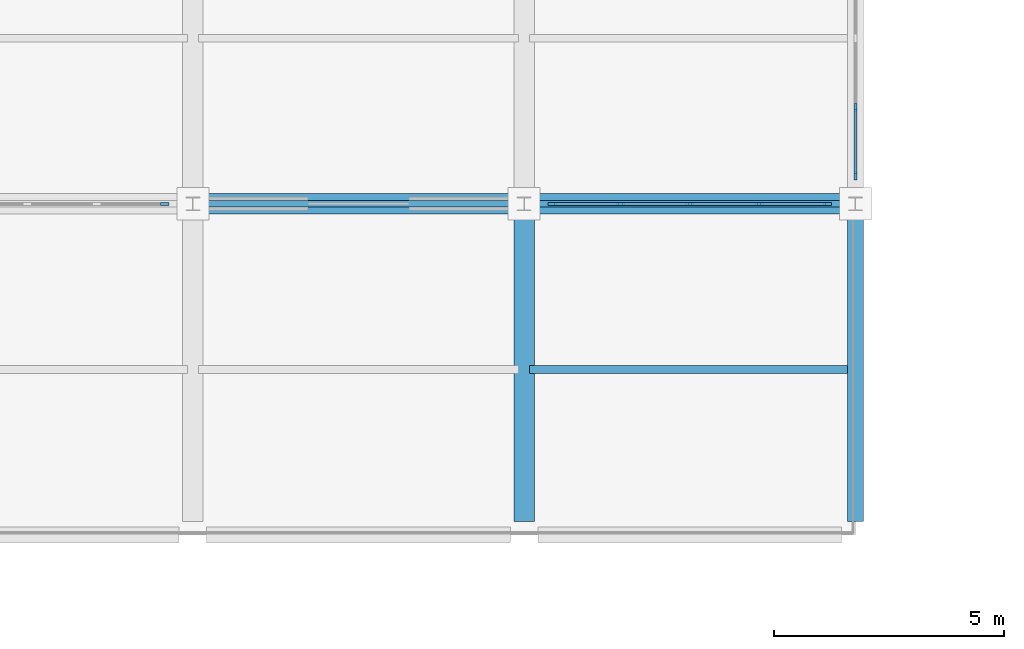
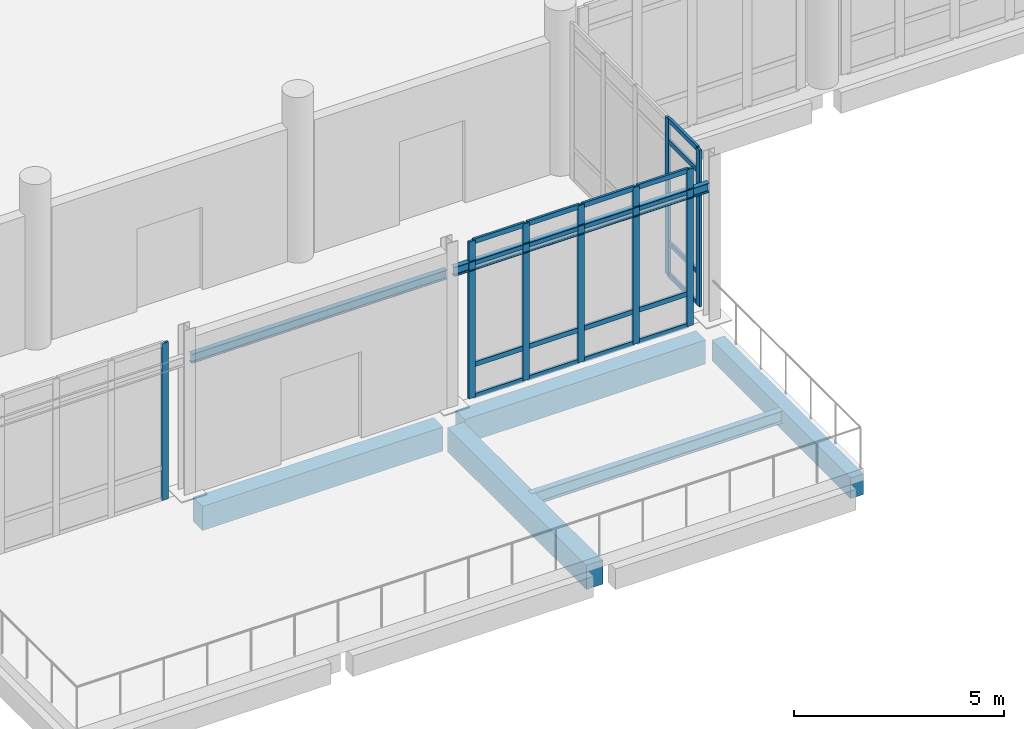
# One storey, part 15 of 59: 28 members, 7 beams, 3 elements without a shape of their own.
"""IFC4 building model written with IfcOpenShell, lengths in metres."""

import ifcopenshell
import ifcopenshell.guid

model = None  # the IFC model being written
_history = None  # IfcOwnerHistory: only IFC2X3 demands one
_inside = {}  # id of a spatial element -> (the spatial element, [elements in it])
_under = {}  # id of a project, library or spatial element -> (it, [spatial elements below it])
_declared = {}  # id of a project -> (the project, [libraries it declares])
_typed = {}  # id of a type object -> (the type object, [elements of that type])
_made_of = {}  # id of a material, layer set ... -> (it, [elements and type objects made of it])


def new_model(schema):
    """Start an empty IFC model of exactly this schema.

    Asked for "IFC4X3", IfcOpenShell would pick the latest addendum, in which some entities
    have other attributes; the version numbers below select the first issue.
    IFC2X3 requires an IfcOwnerHistory on every rooted entity: one is made here for all.
    """
    global model, _history
    if schema == "IFC4X3":
        model = ifcopenshell.file(schema_version=(4, 3, 0, 0))
    else:
        model = ifcopenshell.file(schema=schema)
    _inside.clear()
    _under.clear()
    _declared.clear()
    _typed.clear()
    _made_of.clear()
    _history = None
    if model.schema == "IFC2X3":
        org = make("IfcOrganization", Name="unknown")
        user = make(
            "IfcPersonAndOrganization",
            ThePerson=make("IfcPerson", FamilyName="unknown"),
            TheOrganization=org,
        )
        app = make(
            "IfcApplication",
            ApplicationDeveloper=org,
            Version="unknown",
            ApplicationFullName="unknown",
            ApplicationIdentifier="unknown",
        )
        _history = make(
            "IfcOwnerHistory",
            OwningUser=user,
            OwningApplication=app,
            ChangeAction="ADDED",
            CreationDate=0,
        )
    return model


def make(cls, **values):
    """One entity of the class cls with the attributes given. An attribute that is None is left unset."""
    return model.create_entity(
        cls, **{name: value for name, value in values.items() if value is not None}
    )


def rooted(cls, **values):
    """An entity with a GlobalId (a new one), such as an element, a storey or a relation."""
    return make(cls, GlobalId=ifcopenshell.guid.new(), OwnerHistory=_history, **values)


def si_unit(unit_type, name, prefix=None):
    """IfcSIUnit, for example si_unit("LENGTHUNIT", "METRE", prefix="MILLI")."""
    return make("IfcSIUnit", UnitType=unit_type, Prefix=prefix, Name=name)


def assignment(units):
    """IfcUnitAssignment: the units of a project."""
    return None if units is None else make("IfcUnitAssignment", Units=units)


def point(xyz):
    """IfcCartesianPoint."""
    return None if xyz is None else make("IfcCartesianPoint", Coordinates=xyz)


def direction(xyz):
    """IfcDirection."""
    return None if xyz is None else make("IfcDirection", DirectionRatios=xyz)


def frame(location, z_axis=None, x_axis=None):
    """IfcAxis2Placement3D, a coordinate frame: its origin and axes. An axis left out is left unset."""
    return make(
        "IfcAxis2Placement3D",
        Location=point(location),
        Axis=direction(z_axis),
        RefDirection=direction(x_axis),
    )


def frame_2d(location, x_axis=None):
    """IfcAxis2Placement2D, a coordinate frame in the plane: its origin and x axis."""
    return make(
        "IfcAxis2Placement2D", Location=point(location), RefDirection=direction(x_axis)
    )


def origin():
    """The frame at (0, 0, 0) with its axes left unset."""
    return frame((0.0, 0.0, 0.0))


def origin_2d():
    """The frame at (0, 0) in the plane with its x axis left unset."""
    return frame_2d((0.0, 0.0))


def place(relative_to, where):
    """IfcLocalPlacement: puts the frame where relative to a parent placement (None: the world)."""
    return make(
        "IfcLocalPlacement", PlacementRelTo=relative_to, RelativePlacement=where
    )


def context(
    kind, dimensions, precision=None, world=None, true_north=None, identifier=None
):
    """IfcGeometricRepresentationContext, for example the 3D "Model" context."""
    return make(
        "IfcGeometricRepresentationContext",
        ContextIdentifier=identifier,
        ContextType=kind,
        CoordinateSpaceDimension=dimensions,
        Precision=precision,
        WorldCoordinateSystem=world,
        TrueNorth=true_north,
    )


def subcontext(parent, identifier, kind, view, scale=None):
    """IfcGeometricRepresentationSubContext, for example "Body" below "Model"."""
    return make(
        "IfcGeometricRepresentationSubContext",
        ContextIdentifier=identifier,
        ContextType=kind,
        ParentContext=parent,
        TargetScale=scale,
        TargetView=view,
    )


def project(units=None, contexts=None):
    """IfcProject with its units and contexts."""
    return rooted(
        "IfcProject",
        Name="project",
        RepresentationContexts=contexts,
        UnitsInContext=assignment(units),
    )


def spatial(cls, under=None, at=None, **own):
    """A site, building, storey or space (cls), placed at a placement, below another one or the project."""
    s = rooted(cls, ObjectPlacement=at, **own)
    if under is not None:
        _under.setdefault(under.id(), (under, []))[1].append(s)
    return s


def profile(cls, at=None, kind="AREA", **sizes):
    """A parametric profile (cls). Its sizes go by their IFC names, for example OverallWidth=200.0."""
    return make(cls, ProfileType=kind, Position=at, **sizes)


def rectangle(**sizes):
    """IfcRectangleProfileDef."""
    return profile("IfcRectangleProfileDef", **sizes)


def i_section(**sizes):
    """IfcIShapeProfileDef."""
    return profile("IfcIShapeProfileDef", **sizes)


def extrude(swept, where, along, depth):
    """IfcExtrudedAreaSolid: the profile swept, set in the frame where, extruded along a direction by depth."""
    return make(
        "IfcExtrudedAreaSolid",
        SweptArea=swept,
        Position=where,
        ExtrudedDirection=direction(along),
        Depth=depth,
    )


def shape(context_of_items, identifier, shape_type, items):
    """IfcShapeRepresentation: the items that make up one representation, for example the "Body"."""
    return make(
        "IfcShapeRepresentation",
        ContextOfItems=context_of_items,
        RepresentationIdentifier=identifier,
        RepresentationType=shape_type,
        Items=items,
    )


def material(Name=None, Category=None):
    """IfcMaterial."""
    return make("IfcMaterial", Name=Name, Category=Category)


def layer(
    of_material, thickness, ventilated=None, Name=None, Category=None, Priority=None
):
    """IfcMaterialLayer: one layer of a wall or slab, of a material (None: an air gap)."""
    return make(
        "IfcMaterialLayer",
        Material=of_material,
        LayerThickness=thickness,
        IsVentilated=ventilated,
        Name=Name,
        Category=Category,
        Priority=Priority,
    )


def layer_set(layers, Name=None):
    """IfcMaterialLayerSet."""
    return make("IfcMaterialLayerSet", MaterialLayers=layers, LayerSetName=Name)


def material_profile(
    of_material, cross_section, Name=None, Category=None, Priority=None
):
    """IfcMaterialProfile: a cross section and its material."""
    return make(
        "IfcMaterialProfile",
        Name=Name,
        Material=of_material,
        Profile=cross_section,
        Priority=Priority,
        Category=Category,
    )


def profile_set(profiles, Name=None, composite=None):
    """IfcMaterialProfileSet."""
    return make(
        "IfcMaterialProfileSet",
        Name=Name,
        MaterialProfiles=profiles,
        CompositeProfile=composite,
    )


def made_of(thing, what):
    """Note that an element or type object is made of a material, layer set ...; save() writes the relation."""
    if what is not None:
        _made_of.setdefault(what.id(), (what, []))[1].append(thing)
    return thing


def type_object(cls, material=None, **own):
    """A type object (cls), such as IfcWallType, which elements share."""
    return made_of(rooted(cls, **own), material)


def element(
    cls,
    number,
    at=None,
    inside=None,
    cuts=None,
    type_object=None,
    material=None,
    context=None,
    identifier="Body",
    shape_type=None,
    held_by="IfcProductDefinitionShape",
    body=None,
    shapes=None,
    **own,
):
    """One element of the class cls, such as IfcWall. Its Tag is "e" and its number.

    at: its placement. inside: the storey or other place that contains it. cuts: it is an
    opening in that element (IfcRelVoidsElement). A single representation is given by context,
    identifier, shape_type and body (its items); several are given by shapes. held_by: the class
    of the entity that holds the representations. save() writes the other relations.
    """
    e = rooted(cls, Tag="e%d" % number, ObjectPlacement=at, **own)
    if body is not None:
        shapes = [shape(context, identifier, shape_type, body)]
    if shapes is not None:
        e.Representation = make(held_by, Representations=shapes)
    if inside is not None:
        _inside.setdefault(inside.id(), (inside, []))[1].append(e)
    if cuts is not None:
        rooted(
            "IfcRelVoidsElement", RelatingBuildingElement=cuts, RelatedOpeningElement=e
        )
    if type_object is not None:
        _typed.setdefault(type_object.id(), (type_object, []))[1].append(e)
    return made_of(e, material)


def aggregate(whole, parts):
    """IfcRelAggregates: a whole, such as a stair, and the parts it consists of."""
    return rooted("IfcRelAggregates", RelatingObject=whole, RelatedObjects=parts)


def save(model, path):
    """Write the relations noted so far, then the file.

    IfcRelAggregates (storeys below a building ...), IfcRelContainedInSpatialStructure (elements
    in a storey), IfcRelDefinesByType, IfcRelAssociatesMaterial and IfcRelDeclares: one each for
    every whole, place, type object, material and project.
    """
    for whole, parts in _under.values():
        aggregate(whole, parts)
    for where, things in _inside.values():
        rooted(
            "IfcRelContainedInSpatialStructure",
            RelatedElements=things,
            RelatingStructure=where,
        )
    for kind, things in _typed.values():
        rooted("IfcRelDefinesByType", RelatedObjects=things, RelatingType=kind)
    for what, things in _made_of.values():
        rooted("IfcRelAssociatesMaterial", RelatedObjects=things, RelatingMaterial=what)
    for by, libraries in _declared.values():
        rooted("IfcRelDeclares", RelatingContext=by, RelatedDefinitions=libraries)
    model.write(path)


model = new_model("IFC4")

# Units and contexts
model_context = context("Model", 3, precision=1e-05, world=origin(), true_north=direction((0.0, 1.0)))
body_context = subcontext(model_context, "Body", "Model", "MODEL_VIEW")
ifc_project = project(units=[si_unit("LENGTHUNIT", "METRE"), si_unit("AREAUNIT", "SQUARE_METRE"), si_unit("VOLUMEUNIT", "CUBIC_METRE"), si_unit("PLANEANGLEUNIT", "RADIAN"), si_unit("MASSUNIT", "GRAM", prefix="KILO")], contexts=[model_context])

# Site, building, storey
site_placement = place(None, origin())
site = spatial("IfcSite", under=ifc_project, at=site_placement, CompositionType="ELEMENT")
building_placement = place(site_placement, origin())
building = spatial("IfcBuilding", under=site, at=building_placement, Name="Valkovuoma Quantum and Materials Research Institute", CompositionType="ELEMENT")
storey_placement = place(building_placement, origin())
storey = spatial("IfcBuildingStorey", under=building, at=storey_placement, Name="L00", CompositionType="ELEMENT", Elevation=0.0)

# Beams
ifc_material_1 = material(Name="Steel S355J2", Category="steel")
ifc_material_profile_1 = material_profile(ifc_material_1, i_section(OverallWidth=0.169921875, OverallDepth=0.360107421875, WebThickness=0.008056640625, FlangeThickness=0.0126953125, FilletRadius=0.01806640625, at=origin_2d()), Name="Steel S355J2")
ifc_profile_set_1 = profile_set([ifc_material_profile_1], Name="Steel S355J2")
beam_type_1 = type_object("IfcBeamType", Name="Beam-B-JST360", PredefinedType="JOIST", material=ifc_profile_set_1)
beam_1_placement = place(storey_placement, frame((72.1201171875, 25.199951171875, -0.580078125), z_axis=(1.0, 0.0, 0.0), x_axis=(0.0, 1.0, 0.0)))
element("IfcBeam", 1, at=beam_1_placement, inside=storey, type_object=beam_type_1, Name="L00 floor joist 0403", PredefinedType="JOIST", context=body_context, shape_type="SweptSolid", body=[
    extrude(i_section(OverallWidth=0.169921875, OverallDepth=0.360107421875, WebThickness=0.008056640625, FlangeThickness=0.0126953125, FilletRadius=0.01806640625, at=origin_2d()), origin(), (0.0, 0.0, 1.0), 6.9599609375),
])
ifc_material_2 = material(Name="Steel S355J2", Category="steel")
ifc_material_profile_2 = material_profile(ifc_material_2, i_section(OverallWidth=0.135009765625, OverallDepth=0.27001953125, WebThickness=0.006591796875, FlangeThickness=0.01025390625, FilletRadius=0.014892578125, at=origin_2d()), Name="Steel S355J2")
ifc_profile_set_2 = profile_set([ifc_material_profile_2], Name="Steel S355J2")
beam_type_2 = type_object("IfcBeamType", Name="Beam-B-LNT270", PredefinedType="LINTEL", material=ifc_profile_set_2)
for number, where, z_axis, x_axis, name in (
    (2, (64.89990234375, 28.800048828125, 3.85009765625), (1.0, 0.0, 0.0), (0.0, 1.0, 0.0), "L00 structural lintel 05"),
    (3, (72.10009765625, 28.800048828125, 3.85009765625), (1.0, 0.0, 0.0), (0.0, 1.0, 0.0), "L00 structural lintel 06"),
):
    element("IfcBeam", number, at=place(storey_placement, frame(where, z_axis=z_axis, x_axis=x_axis)), inside=storey, type_object=beam_type_2, Name=name, PredefinedType="LINTEL", context=body_context, shape_type="SweptSolid", body=[
        extrude(i_section(OverallWidth=0.135009765625, OverallDepth=0.27001953125, WebThickness=0.006591796875, FlangeThickness=0.01025390625, FilletRadius=0.014892578125, at=origin_2d()), origin(), (0.0, 0.0, 1.0), 7.0),
    ])
ifc_material_3 = material(Name="Concrete C40/50", Category="concrete")
ifc_material_profile_3 = material_profile(ifc_material_3, rectangle(XDim=0.449951171875, YDim=0.699951171875, at=origin_2d()), Name="Concrete C40/50")
ifc_profile_set_3 = profile_set([ifc_material_profile_3], Name="Concrete C40/50")
beam_type_3 = type_object("IfcBeamType", Name="Beam-B-RC700", PredefinedType="BEAM", material=ifc_profile_set_3)
for number, where, z_axis, x_axis, name in (
    (4, (65.10009765625, 28.800048828125, -0.75), (1.0, 0.0, 0.0), (0.0, 1.0, 0.0), "L00 beam X-0022"),
    (5, (72.300048828125, 28.800048828125, -0.75), (1.0, 0.0, 0.0), (0.0, 1.0, 0.0), "L00 beam X-0023"),
):
    element("IfcBeam", number, at=place(storey_placement, frame(where, z_axis=z_axis, x_axis=x_axis)), inside=storey, type_object=beam_type_3, Name=name, PredefinedType="BEAM", context=body_context, shape_type="SweptSolid", body=[
        extrude(rectangle(XDim=0.449951171875, YDim=0.699951171875, at=origin_2d()), origin(), (0.0, 0.0, 1.0), 6.599853515625),
    ])
beam_2_placement = place(storey_placement, frame((72.0, 21.89990234375, -0.75), z_axis=(0.0, 1.0, 0.0), x_axis=(-1.0, 0.0, 0.0)))
element("IfcBeam", 6, at=beam_2_placement, inside=storey, type_object=beam_type_3, Name="L00 beam Y-0274", PredefinedType="BEAM", context=body_context, shape_type="SweptSolid", body=[
    extrude(rectangle(XDim=0.449951171875, YDim=0.699951171875, at=origin_2d()), origin(), (0.0, 0.0, 1.0), 6.60009765625),
])
ifc_material_4 = material(Name="Concrete C40/50", Category="concrete")
ifc_material_profile_4 = material_profile(ifc_material_4, rectangle(XDim=0.35009765625, YDim=0.60009765625, at=origin_2d()), Name="Concrete C40/50")
ifc_profile_set_4 = profile_set([ifc_material_profile_4], Name="Concrete C40/50")
beam_type_4 = type_object("IfcBeamType", Name="Beam-B-SPN600", PredefinedType="SPANDREL", material=ifc_profile_set_4)
beam_3_placement = place(storey_placement, frame((79.199951171875, 21.89990234375, -0.699951171875), z_axis=(0.0, 1.0, 0.0), x_axis=(-1.0, 0.0, 0.0)))
element("IfcBeam", 7, at=beam_3_placement, inside=storey, type_object=beam_type_4, Name="L00 beam Y-0280", PredefinedType="SPANDREL", context=body_context, shape_type="SweptSolid", body=[
    extrude(rectangle(XDim=0.35009765625, YDim=0.60009765625, at=origin_2d()), origin(), (0.0, 0.0, 1.0), 6.60009765625),
])

# Curtain wall, member
ifc_material_5 = material(Name="Thermally broken aluminium and triple low-E glazing", Category="aluminium")
ifc_layer = layer(ifc_material_5, 0.219970703125)
ifc_layer_set = layer_set([ifc_layer], Name="Thermally broken aluminium and triple low-E glazing")
curtain_wall_type = type_object("IfcCurtainWallType", Name="CW-CW-04", PredefinedType="NOTDEFINED", material=ifc_layer_set)
curtain_wall_1_placement = place(storey_placement, origin())
curtain_wall_1 = element("IfcCurtainWall", 8, at=curtain_wall_1_placement, inside=storey, type_object=curtain_wall_type, Name="L00 curtain wall 143", PredefinedType="NOTDEFINED")
ifc_material_6 = material(Name="Anodised aluminium 6060-T66", Category="aluminium")
ifc_material_profile_5 = material_profile(ifc_material_6, rectangle(XDim=0.06494140625, YDim=0.179931640625, at=origin_2d()), Name="Anodised aluminium 6060-T66")
ifc_profile_set_5 = profile_set([ifc_material_profile_5], Name="Anodised aluminium 6060-T66")
member_type_1 = type_object("IfcMemberType", Name="CWMull-CWM-01", PredefinedType="MULLION", material=ifc_profile_set_5)
member_1_placement = place(storey_placement, frame((64.1875, 28.800048828125, 0.0), z_axis=(0.0, 0.0, 1.0), x_axis=(0.0, 1.0, 0.0)))
member_1 = element("IfcMember", 9, at=member_1_placement, type_object=member_type_1, Name="CW-04 mullion 5", PredefinedType="MULLION", context=body_context, shape_type="SweptSolid", body=[
    extrude(rectangle(XDim=0.06494140625, YDim=0.179931640625, at=origin_2d()), origin(), (0.0, 0.0, 1.0), 4.550048828125),
])
aggregate(curtain_wall_1, [member_1])

# Curtain wall, members
curtain_wall_2_placement = place(storey_placement, origin())
curtain_wall_2 = element("IfcCurtainWall", 10, at=curtain_wall_2_placement, inside=storey, type_object=curtain_wall_type, Name="L00 curtain wall 144", PredefinedType="NOTDEFINED")
member_2_placement = place(storey_placement, frame((72.612548828125, 28.800048828125, 0.0), z_axis=(0.0, 0.0, 1.0), x_axis=(0.0, 1.0, 0.0)))
member_2 = element("IfcMember", 11, at=member_2_placement, type_object=member_type_1, Name="CW-04 mullion 1", PredefinedType="MULLION", context=body_context, shape_type="SweptSolid", body=[
    extrude(rectangle(XDim=0.06494140625, YDim=0.179931640625, at=origin_2d()), origin(), (0.0, 0.0, 1.0), 4.550048828125),
])
member_3_placement = place(storey_placement, frame((74.090087890625, 28.800048828125, 0.0), z_axis=(0.0, 0.0, 1.0), x_axis=(0.0, 1.0, 0.0)))
member_3 = element("IfcMember", 12, at=member_3_placement, type_object=member_type_1, Name="CW-04 mullion 2", PredefinedType="MULLION", context=body_context, shape_type="SweptSolid", body=[
    extrude(rectangle(XDim=0.06494140625, YDim=0.179931640625, at=origin_2d()), origin(), (0.0, 0.0, 1.0), 4.550048828125),
])
member_4_placement = place(storey_placement, frame((75.60009765625, 28.800048828125, 0.0), z_axis=(0.0, 0.0, 1.0), x_axis=(0.0, 1.0, 0.0)))
member_4 = element("IfcMember", 13, at=member_4_placement, type_object=member_type_1, Name="CW-04 mullion 3", PredefinedType="MULLION", context=body_context, shape_type="SweptSolid", body=[
    extrude(rectangle(XDim=0.06494140625, YDim=0.179931640625, at=origin_2d()), origin(), (0.0, 0.0, 1.0), 4.550048828125),
])
member_5_placement = place(storey_placement, frame((77.110107421875, 28.800048828125, 0.0), z_axis=(0.0, 0.0, 1.0), x_axis=(0.0, 1.0, 0.0)))
member_5 = element("IfcMember", 14, at=member_5_placement, type_object=member_type_1, Name="CW-04 mullion 4", PredefinedType="MULLION", context=body_context, shape_type="SweptSolid", body=[
    extrude(rectangle(XDim=0.06494140625, YDim=0.179931640625, at=origin_2d()), origin(), (0.0, 0.0, 1.0), 4.550048828125),
])
member_6_placement = place(storey_placement, frame((78.58740234375, 28.800048828125, 0.0), z_axis=(0.0, 0.0, 1.0), x_axis=(0.0, 1.0, 0.0)))
member_6 = element("IfcMember", 15, at=member_6_placement, type_object=member_type_1, Name="CW-04 mullion 5", PredefinedType="MULLION", context=body_context, shape_type="SweptSolid", body=[
    extrude(rectangle(XDim=0.06494140625, YDim=0.179931640625, at=origin_2d()), origin(), (0.0, 0.0, 1.0), 4.550048828125),
])

curtain_wall_3_placement = place(storey_placement, origin())
curtain_wall_3 = element("IfcCurtainWall", 16, at=curtain_wall_3_placement, inside=storey, type_object=curtain_wall_type, Name="L00 curtain wall 146", PredefinedType="NOTDEFINED")
member_7_placement = place(storey_placement, frame((79.199951171875, 29.41259765625, 0.0), z_axis=(0.0, 0.0, 1.0), x_axis=(-1.0, 0.0, 0.0)))
member_7 = element("IfcMember", 17, at=member_7_placement, type_object=member_type_1, Name="CW-04 mullion 1", PredefinedType="MULLION", context=body_context, shape_type="SweptSolid", body=[
    extrude(rectangle(XDim=0.06494140625, YDim=0.179931640625, at=origin_2d()), origin(), (0.0, 0.0, 1.0), 4.550048828125),
])
member_8_placement = place(storey_placement, frame((79.199951171875, 30.889892578125, 0.0), z_axis=(0.0, 0.0, 1.0), x_axis=(-1.0, 0.0, 0.0)))
member_8 = element("IfcMember", 18, at=member_8_placement, type_object=member_type_1, Name="CW-04 mullion 2", PredefinedType="MULLION", context=body_context, shape_type="SweptSolid", body=[
    extrude(rectangle(XDim=0.06494140625, YDim=0.179931640625, at=origin_2d()), origin(), (0.0, 0.0, 1.0), 4.550048828125),
])

# Member
ifc_material_7 = material(Name="Anodised aluminium 6060-T66", Category="aluminium")
ifc_material_profile_6 = material_profile(ifc_material_7, rectangle(XDim=0.06494140625, YDim=0.139892578125, at=origin_2d()), Name="Anodised aluminium 6060-T66")
ifc_profile_set_6 = profile_set([ifc_material_profile_6], Name="Anodised aluminium 6060-T66")
member_type_2 = type_object("IfcMemberType", Name="CWTran-CWT-01", PredefinedType="USERDEFINED", material=ifc_profile_set_6)
member_9_placement = place(storey_placement, frame((72.64501953125, 28.800048828125, 0.032470703125), z_axis=(1.0, 0.0, 0.0), x_axis=(0.0, 1.0, 0.0)))
member_9 = element("IfcMember", 19, at=member_9_placement, type_object=member_type_2, Name="CW-04 transom 1.1", ObjectType="TRANSOM", PredefinedType="USERDEFINED", context=body_context, shape_type="SweptSolid", body=[
    extrude(rectangle(XDim=0.06494140625, YDim=0.139892578125, at=origin_2d()), origin(), (0.0, 0.0, 1.0), 1.41259765625),
])

member_10_placement = place(storey_placement, frame((72.64501953125, 28.800048828125, 0.949951171875), z_axis=(1.0, 0.0, 0.0), x_axis=(0.0, 1.0, 0.0)))
member_10 = element("IfcMember", 20, at=member_10_placement, type_object=member_type_2, Name="CW-04 transom 1.2", ObjectType="TRANSOM", PredefinedType="USERDEFINED", context=body_context, shape_type="SweptSolid", body=[
    extrude(rectangle(XDim=0.06494140625, YDim=0.139892578125, at=origin_2d()), origin(), (0.0, 0.0, 1.0), 1.41259765625),
])

member_11_placement = place(storey_placement, frame((72.64501953125, 28.800048828125, 3.89990234375), z_axis=(1.0, 0.0, 0.0), x_axis=(0.0, 1.0, 0.0)))
member_11 = element("IfcMember", 21, at=member_11_placement, type_object=member_type_2, Name="CW-04 transom 1.3", ObjectType="TRANSOM", PredefinedType="USERDEFINED", context=body_context, shape_type="SweptSolid", body=[
    extrude(rectangle(XDim=0.06494140625, YDim=0.139892578125, at=origin_2d()), origin(), (0.0, 0.0, 1.0), 1.41259765625),
])

member_12_placement = place(storey_placement, frame((72.64501953125, 28.800048828125, 4.517578125), z_axis=(1.0, 0.0, 0.0), x_axis=(0.0, 1.0, 0.0)))
member_12 = element("IfcMember", 22, at=member_12_placement, type_object=member_type_2, Name="CW-04 transom 1.4", ObjectType="TRANSOM", PredefinedType="USERDEFINED", context=body_context, shape_type="SweptSolid", body=[
    extrude(rectangle(XDim=0.06494140625, YDim=0.139892578125, at=origin_2d()), origin(), (0.0, 0.0, 1.0), 1.41259765625),
])

member_13_placement = place(storey_placement, frame((74.12255859375, 28.800048828125, 0.032470703125), z_axis=(1.0, 0.0, 0.0), x_axis=(0.0, 1.0, 0.0)))
member_13 = element("IfcMember", 23, at=member_13_placement, type_object=member_type_2, Name="CW-04 transom 2.1", ObjectType="TRANSOM", PredefinedType="USERDEFINED", context=body_context, shape_type="SweptSolid", body=[
    extrude(rectangle(XDim=0.06494140625, YDim=0.139892578125, at=origin_2d()), origin(), (0.0, 0.0, 1.0), 1.44482421875),
])

member_14_placement = place(storey_placement, frame((74.12255859375, 28.800048828125, 0.949951171875), z_axis=(1.0, 0.0, 0.0), x_axis=(0.0, 1.0, 0.0)))
member_14 = element("IfcMember", 24, at=member_14_placement, type_object=member_type_2, Name="CW-04 transom 2.2", ObjectType="TRANSOM", PredefinedType="USERDEFINED", context=body_context, shape_type="SweptSolid", body=[
    extrude(rectangle(XDim=0.06494140625, YDim=0.139892578125, at=origin_2d()), origin(), (0.0, 0.0, 1.0), 1.44482421875),
])

member_15_placement = place(storey_placement, frame((74.12255859375, 28.800048828125, 3.89990234375), z_axis=(1.0, 0.0, 0.0), x_axis=(0.0, 1.0, 0.0)))
member_15 = element("IfcMember", 25, at=member_15_placement, type_object=member_type_2, Name="CW-04 transom 2.3", ObjectType="TRANSOM", PredefinedType="USERDEFINED", context=body_context, shape_type="SweptSolid", body=[
    extrude(rectangle(XDim=0.06494140625, YDim=0.139892578125, at=origin_2d()), origin(), (0.0, 0.0, 1.0), 1.44482421875),
])

member_16_placement = place(storey_placement, frame((74.12255859375, 28.800048828125, 4.517578125), z_axis=(1.0, 0.0, 0.0), x_axis=(0.0, 1.0, 0.0)))
member_16 = element("IfcMember", 26, at=member_16_placement, type_object=member_type_2, Name="CW-04 transom 2.4", ObjectType="TRANSOM", PredefinedType="USERDEFINED", context=body_context, shape_type="SweptSolid", body=[
    extrude(rectangle(XDim=0.06494140625, YDim=0.139892578125, at=origin_2d()), origin(), (0.0, 0.0, 1.0), 1.44482421875),
])

member_17_placement = place(storey_placement, frame((75.632568359375, 28.800048828125, 0.032470703125), z_axis=(1.0, 0.0, 0.0), x_axis=(0.0, 1.0, 0.0)))
member_17 = element("IfcMember", 27, at=member_17_placement, type_object=member_type_2, Name="CW-04 transom 3.1", ObjectType="TRANSOM", PredefinedType="USERDEFINED", context=body_context, shape_type="SweptSolid", body=[
    extrude(rectangle(XDim=0.06494140625, YDim=0.139892578125, at=origin_2d()), origin(), (0.0, 0.0, 1.0), 1.44482421875),
])

member_18_placement = place(storey_placement, frame((75.632568359375, 28.800048828125, 0.949951171875), z_axis=(1.0, 0.0, 0.0), x_axis=(0.0, 1.0, 0.0)))
member_18 = element("IfcMember", 28, at=member_18_placement, type_object=member_type_2, Name="CW-04 transom 3.2", ObjectType="TRANSOM", PredefinedType="USERDEFINED", context=body_context, shape_type="SweptSolid", body=[
    extrude(rectangle(XDim=0.06494140625, YDim=0.139892578125, at=origin_2d()), origin(), (0.0, 0.0, 1.0), 1.44482421875),
])

member_19_placement = place(storey_placement, frame((75.632568359375, 28.800048828125, 3.89990234375), z_axis=(1.0, 0.0, 0.0), x_axis=(0.0, 1.0, 0.0)))
member_19 = element("IfcMember", 29, at=member_19_placement, type_object=member_type_2, Name="CW-04 transom 3.3", ObjectType="TRANSOM", PredefinedType="USERDEFINED", context=body_context, shape_type="SweptSolid", body=[
    extrude(rectangle(XDim=0.06494140625, YDim=0.139892578125, at=origin_2d()), origin(), (0.0, 0.0, 1.0), 1.44482421875),
])

member_20_placement = place(storey_placement, frame((75.632568359375, 28.800048828125, 4.517578125), z_axis=(1.0, 0.0, 0.0), x_axis=(0.0, 1.0, 0.0)))
member_20 = element("IfcMember", 30, at=member_20_placement, type_object=member_type_2, Name="CW-04 transom 3.4", ObjectType="TRANSOM", PredefinedType="USERDEFINED", context=body_context, shape_type="SweptSolid", body=[
    extrude(rectangle(XDim=0.06494140625, YDim=0.139892578125, at=origin_2d()), origin(), (0.0, 0.0, 1.0), 1.44482421875),
])

member_21_placement = place(storey_placement, frame((77.142578125, 28.800048828125, 0.032470703125), z_axis=(1.0, 0.0, 0.0), x_axis=(0.0, 1.0, 0.0)))
member_21 = element("IfcMember", 31, at=member_21_placement, type_object=member_type_2, Name="CW-04 transom 4.1", ObjectType="TRANSOM", PredefinedType="USERDEFINED", context=body_context, shape_type="SweptSolid", body=[
    extrude(rectangle(XDim=0.06494140625, YDim=0.139892578125, at=origin_2d()), origin(), (0.0, 0.0, 1.0), 1.412353515625),
])

member_22_placement = place(storey_placement, frame((77.142578125, 28.800048828125, 0.949951171875), z_axis=(1.0, 0.0, 0.0), x_axis=(0.0, 1.0, 0.0)))
member_22 = element("IfcMember", 32, at=member_22_placement, type_object=member_type_2, Name="CW-04 transom 4.2", ObjectType="TRANSOM", PredefinedType="USERDEFINED", context=body_context, shape_type="SweptSolid", body=[
    extrude(rectangle(XDim=0.06494140625, YDim=0.139892578125, at=origin_2d()), origin(), (0.0, 0.0, 1.0), 1.412353515625),
])

member_23_placement = place(storey_placement, frame((77.142578125, 28.800048828125, 3.89990234375), z_axis=(1.0, 0.0, 0.0), x_axis=(0.0, 1.0, 0.0)))
member_23 = element("IfcMember", 33, at=member_23_placement, type_object=member_type_2, Name="CW-04 transom 4.3", ObjectType="TRANSOM", PredefinedType="USERDEFINED", context=body_context, shape_type="SweptSolid", body=[
    extrude(rectangle(XDim=0.06494140625, YDim=0.139892578125, at=origin_2d()), origin(), (0.0, 0.0, 1.0), 1.412353515625),
])

member_24_placement = place(storey_placement, frame((77.142578125, 28.800048828125, 4.517578125), z_axis=(1.0, 0.0, 0.0), x_axis=(0.0, 1.0, 0.0)))
member_24 = element("IfcMember", 34, at=member_24_placement, type_object=member_type_2, Name="CW-04 transom 4.4", ObjectType="TRANSOM", PredefinedType="USERDEFINED", context=body_context, shape_type="SweptSolid", body=[
    extrude(rectangle(XDim=0.06494140625, YDim=0.139892578125, at=origin_2d()), origin(), (0.0, 0.0, 1.0), 1.412353515625),
])

aggregate(curtain_wall_2, [member_2, member_3, member_4, member_5, member_6, member_9, member_10, member_11, member_12, member_13, member_14, member_15, member_16, member_17, member_18, member_19, member_20, member_21, member_22, member_23, member_24])

member_25_placement = place(storey_placement, frame((79.199951171875, 29.445068359375, 0.032470703125), z_axis=(0.0, 1.0, 0.0), x_axis=(-1.0, 0.0, 0.0)))
member_25 = element("IfcMember", 35, at=member_25_placement, type_object=member_type_2, Name="CW-04 transom 1.1", ObjectType="TRANSOM", PredefinedType="USERDEFINED", context=body_context, shape_type="SweptSolid", body=[
    extrude(rectangle(XDim=0.06494140625, YDim=0.139892578125, at=origin_2d()), origin(), (0.0, 0.0, 1.0), 1.412353515625),
])

member_26_placement = place(storey_placement, frame((79.199951171875, 29.445068359375, 0.949951171875), z_axis=(0.0, 1.0, 0.0), x_axis=(-1.0, 0.0, 0.0)))
member_26 = element("IfcMember", 36, at=member_26_placement, type_object=member_type_2, Name="CW-04 transom 1.2", ObjectType="TRANSOM", PredefinedType="USERDEFINED", context=body_context, shape_type="SweptSolid", body=[
    extrude(rectangle(XDim=0.06494140625, YDim=0.139892578125, at=origin_2d()), origin(), (0.0, 0.0, 1.0), 1.412353515625),
])

member_27_placement = place(storey_placement, frame((79.199951171875, 29.445068359375, 3.89990234375), z_axis=(0.0, 1.0, 0.0), x_axis=(-1.0, 0.0, 0.0)))
member_27 = element("IfcMember", 37, at=member_27_placement, type_object=member_type_2, Name="CW-04 transom 1.3", ObjectType="TRANSOM", PredefinedType="USERDEFINED", context=body_context, shape_type="SweptSolid", body=[
    extrude(rectangle(XDim=0.06494140625, YDim=0.139892578125, at=origin_2d()), origin(), (0.0, 0.0, 1.0), 1.412353515625),
])

member_28_placement = place(storey_placement, frame((79.199951171875, 29.445068359375, 4.517578125), z_axis=(0.0, 1.0, 0.0), x_axis=(-1.0, 0.0, 0.0)))
member_28 = element("IfcMember", 38, at=member_28_placement, type_object=member_type_2, Name="CW-04 transom 1.4", ObjectType="TRANSOM", PredefinedType="USERDEFINED", context=body_context, shape_type="SweptSolid", body=[
    extrude(rectangle(XDim=0.06494140625, YDim=0.139892578125, at=origin_2d()), origin(), (0.0, 0.0, 1.0), 1.412353515625),
])

aggregate(curtain_wall_3, [member_7, member_8, member_25, member_26, member_27, member_28])

save(model, "model.ifc")
